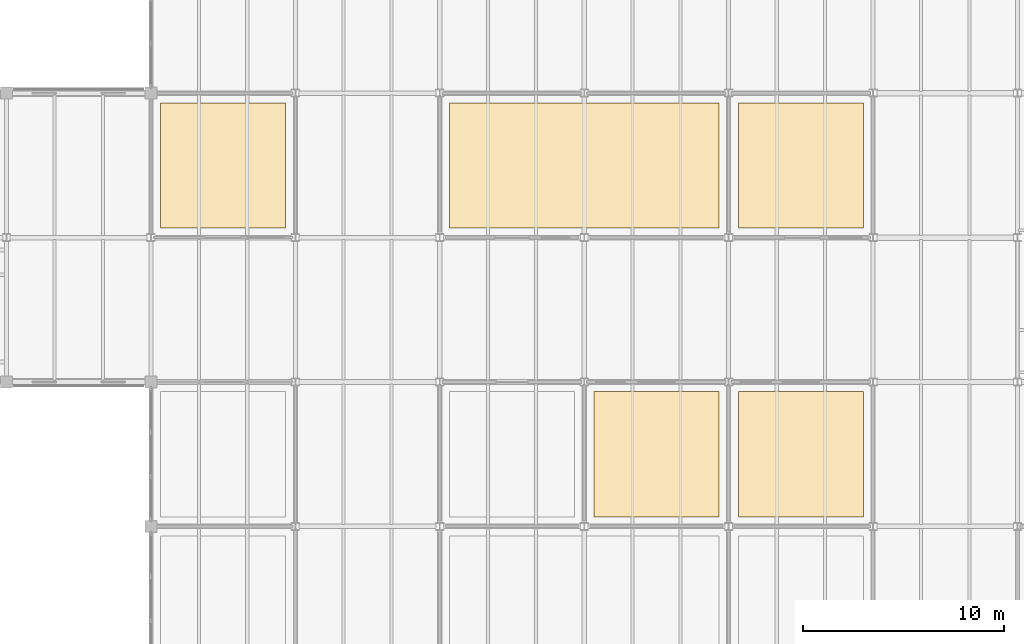
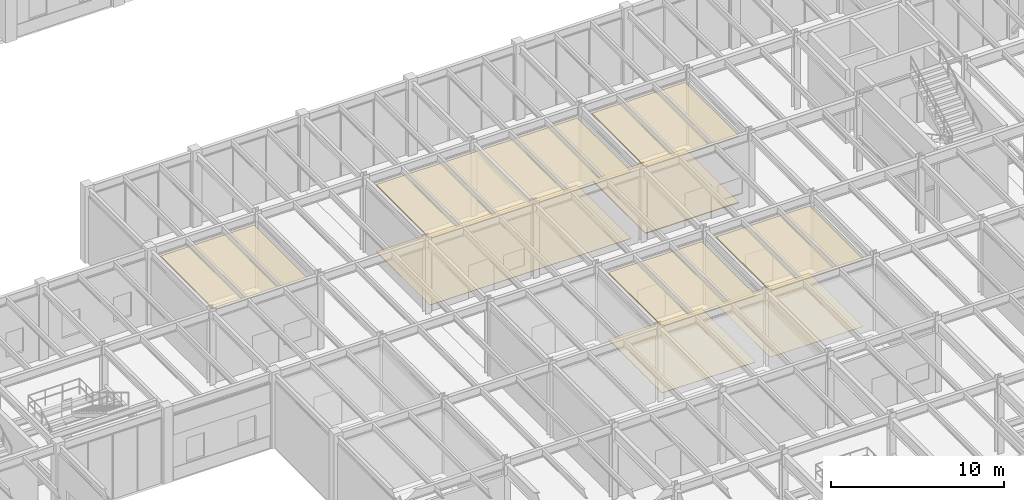
# One storey, part 90 of 97: 9 coverings.
"""IFC4 building model written with IfcOpenShell, lengths in metres."""

import ifcopenshell
import ifcopenshell.guid

model = None  # the IFC model being written
_history = None  # IfcOwnerHistory: only IFC2X3 demands one
_inside = {}  # id of a spatial element -> (the spatial element, [elements in it])
_under = {}  # id of a project, library or spatial element -> (it, [spatial elements below it])
_declared = {}  # id of a project -> (the project, [libraries it declares])
_typed = {}  # id of a type object -> (the type object, [elements of that type])
_made_of = {}  # id of a material, layer set ... -> (it, [elements and type objects made of it])


def new_model(schema):
    """Start an empty IFC model of exactly this schema.

    Asked for "IFC4X3", IfcOpenShell would pick the latest addendum, in which some entities
    have other attributes; the version numbers below select the first issue.
    IFC2X3 requires an IfcOwnerHistory on every rooted entity: one is made here for all.
    """
    global model, _history
    if schema == "IFC4X3":
        model = ifcopenshell.file(schema_version=(4, 3, 0, 0))
    else:
        model = ifcopenshell.file(schema=schema)
    _inside.clear()
    _under.clear()
    _declared.clear()
    _typed.clear()
    _made_of.clear()
    _history = None
    if model.schema == "IFC2X3":
        org = make("IfcOrganization", Name="unknown")
        user = make(
            "IfcPersonAndOrganization",
            ThePerson=make("IfcPerson", FamilyName="unknown"),
            TheOrganization=org,
        )
        app = make(
            "IfcApplication",
            ApplicationDeveloper=org,
            Version="unknown",
            ApplicationFullName="unknown",
            ApplicationIdentifier="unknown",
        )
        _history = make(
            "IfcOwnerHistory",
            OwningUser=user,
            OwningApplication=app,
            ChangeAction="ADDED",
            CreationDate=0,
        )
    return model


def make(cls, **values):
    """One entity of the class cls with the attributes given. An attribute that is None is left unset."""
    return model.create_entity(
        cls, **{name: value for name, value in values.items() if value is not None}
    )


def rooted(cls, **values):
    """An entity with a GlobalId (a new one), such as an element, a storey or a relation."""
    return make(cls, GlobalId=ifcopenshell.guid.new(), OwnerHistory=_history, **values)


def si_unit(unit_type, name, prefix=None):
    """IfcSIUnit, for example si_unit("LENGTHUNIT", "METRE", prefix="MILLI")."""
    return make("IfcSIUnit", UnitType=unit_type, Prefix=prefix, Name=name)


def assignment(units):
    """IfcUnitAssignment: the units of a project."""
    return None if units is None else make("IfcUnitAssignment", Units=units)


def point(xyz):
    """IfcCartesianPoint."""
    return None if xyz is None else make("IfcCartesianPoint", Coordinates=xyz)


def direction(xyz):
    """IfcDirection."""
    return None if xyz is None else make("IfcDirection", DirectionRatios=xyz)


def frame(location, z_axis=None, x_axis=None):
    """IfcAxis2Placement3D, a coordinate frame: its origin and axes. An axis left out is left unset."""
    return make(
        "IfcAxis2Placement3D",
        Location=point(location),
        Axis=direction(z_axis),
        RefDirection=direction(x_axis),
    )


def origin():
    """The frame at (0, 0, 0) with its axes left unset."""
    return frame((0.0, 0.0, 0.0))


def place(relative_to, where):
    """IfcLocalPlacement: puts the frame where relative to a parent placement (None: the world)."""
    return make(
        "IfcLocalPlacement", PlacementRelTo=relative_to, RelativePlacement=where
    )


def context(
    kind, dimensions, precision=None, world=None, true_north=None, identifier=None
):
    """IfcGeometricRepresentationContext, for example the 3D "Model" context."""
    return make(
        "IfcGeometricRepresentationContext",
        ContextIdentifier=identifier,
        ContextType=kind,
        CoordinateSpaceDimension=dimensions,
        Precision=precision,
        WorldCoordinateSystem=world,
        TrueNorth=true_north,
    )


def subcontext(parent, identifier, kind, view, scale=None):
    """IfcGeometricRepresentationSubContext, for example "Body" below "Model"."""
    return make(
        "IfcGeometricRepresentationSubContext",
        ContextIdentifier=identifier,
        ContextType=kind,
        ParentContext=parent,
        TargetScale=scale,
        TargetView=view,
    )


def project(units=None, contexts=None):
    """IfcProject with its units and contexts."""
    return rooted(
        "IfcProject",
        Name="project",
        RepresentationContexts=contexts,
        UnitsInContext=assignment(units),
    )


def spatial(cls, under=None, at=None, **own):
    """A site, building, storey or space (cls), placed at a placement, below another one or the project."""
    s = rooted(cls, ObjectPlacement=at, **own)
    if under is not None:
        _under.setdefault(under.id(), (under, []))[1].append(s)
    return s


def polyline(points):
    """IfcPolyline through the points."""
    return make("IfcPolyline", Points=[point(p) for p in points])


def outline(outer, holes=None, kind="AREA"):
    """IfcArbitraryClosedProfileDef: a profile drawn as a closed curve; with holes, ...WithVoids."""
    if holes is None:
        return make("IfcArbitraryClosedProfileDef", ProfileType=kind, OuterCurve=outer)
    return make(
        "IfcArbitraryProfileDefWithVoids",
        ProfileType=kind,
        OuterCurve=outer,
        InnerCurves=holes,
    )


def extrude(swept, where, along, depth):
    """IfcExtrudedAreaSolid: the profile swept, set in the frame where, extruded along a direction by depth."""
    return make(
        "IfcExtrudedAreaSolid",
        SweptArea=swept,
        Position=where,
        ExtrudedDirection=direction(along),
        Depth=depth,
    )


def shape(context_of_items, identifier, shape_type, items):
    """IfcShapeRepresentation: the items that make up one representation, for example the "Body"."""
    return make(
        "IfcShapeRepresentation",
        ContextOfItems=context_of_items,
        RepresentationIdentifier=identifier,
        RepresentationType=shape_type,
        Items=items,
    )


def material(Name=None, Category=None):
    """IfcMaterial."""
    return make("IfcMaterial", Name=Name, Category=Category)


def layer(
    of_material, thickness, ventilated=None, Name=None, Category=None, Priority=None
):
    """IfcMaterialLayer: one layer of a wall or slab, of a material (None: an air gap)."""
    return make(
        "IfcMaterialLayer",
        Material=of_material,
        LayerThickness=thickness,
        IsVentilated=ventilated,
        Name=Name,
        Category=Category,
        Priority=Priority,
    )


def layer_set(layers, Name=None):
    """IfcMaterialLayerSet."""
    return make("IfcMaterialLayerSet", MaterialLayers=layers, LayerSetName=Name)


def made_of(thing, what):
    """Note that an element or type object is made of a material, layer set ...; save() writes the relation."""
    if what is not None:
        _made_of.setdefault(what.id(), (what, []))[1].append(thing)
    return thing


def type_object(cls, material=None, **own):
    """A type object (cls), such as IfcWallType, which elements share."""
    return made_of(rooted(cls, **own), material)


def element(
    cls,
    number,
    at=None,
    inside=None,
    cuts=None,
    type_object=None,
    material=None,
    context=None,
    identifier="Body",
    shape_type=None,
    held_by="IfcProductDefinitionShape",
    body=None,
    shapes=None,
    **own,
):
    """One element of the class cls, such as IfcWall. Its Tag is "e" and its number.

    at: its placement. inside: the storey or other place that contains it. cuts: it is an
    opening in that element (IfcRelVoidsElement). A single representation is given by context,
    identifier, shape_type and body (its items); several are given by shapes. held_by: the class
    of the entity that holds the representations. save() writes the other relations.
    """
    e = rooted(cls, Tag="e%d" % number, ObjectPlacement=at, **own)
    if body is not None:
        shapes = [shape(context, identifier, shape_type, body)]
    if shapes is not None:
        e.Representation = make(held_by, Representations=shapes)
    if inside is not None:
        _inside.setdefault(inside.id(), (inside, []))[1].append(e)
    if cuts is not None:
        rooted(
            "IfcRelVoidsElement", RelatingBuildingElement=cuts, RelatedOpeningElement=e
        )
    if type_object is not None:
        _typed.setdefault(type_object.id(), (type_object, []))[1].append(e)
    return made_of(e, material)


def aggregate(whole, parts):
    """IfcRelAggregates: a whole, such as a stair, and the parts it consists of."""
    return rooted("IfcRelAggregates", RelatingObject=whole, RelatedObjects=parts)


def save(model, path):
    """Write the relations noted so far, then the file.

    IfcRelAggregates (storeys below a building ...), IfcRelContainedInSpatialStructure (elements
    in a storey), IfcRelDefinesByType, IfcRelAssociatesMaterial and IfcRelDeclares: one each for
    every whole, place, type object, material and project.
    """
    for whole, parts in _under.values():
        aggregate(whole, parts)
    for where, things in _inside.values():
        rooted(
            "IfcRelContainedInSpatialStructure",
            RelatedElements=things,
            RelatingStructure=where,
        )
    for kind, things in _typed.values():
        rooted("IfcRelDefinesByType", RelatedObjects=things, RelatingType=kind)
    for what, things in _made_of.values():
        rooted("IfcRelAssociatesMaterial", RelatedObjects=things, RelatingMaterial=what)
    for by, libraries in _declared.values():
        rooted("IfcRelDeclares", RelatingContext=by, RelatedDefinitions=libraries)
    model.write(path)


model = new_model("IFC4")

# Units and contexts
model_context = context("Model", 3, precision=1e-05, world=origin(), true_north=direction((0.0, 1.0)))
body_context = subcontext(model_context, "Body", "Model", "MODEL_VIEW")
ifc_project = project(units=[si_unit("LENGTHUNIT", "METRE"), si_unit("AREAUNIT", "SQUARE_METRE"), si_unit("VOLUMEUNIT", "CUBIC_METRE"), si_unit("PLANEANGLEUNIT", "RADIAN"), si_unit("MASSUNIT", "GRAM", prefix="KILO")], contexts=[model_context])

# Site, building, storey
site_placement = place(None, origin())
site = spatial("IfcSite", under=ifc_project, at=site_placement, CompositionType="ELEMENT")
building_placement = place(site_placement, origin())
building = spatial("IfcBuilding", under=site, at=building_placement, Name="Sillqori Civic Hall", CompositionType="ELEMENT")
storey_placement = place(building_placement, origin())
storey = spatial("IfcBuildingStorey", under=building, at=storey_placement, Name="L01", CompositionType="ELEMENT", Elevation=0.0)

# Coverings
ifc_material_1 = material(Name="Acoustic Gypsum Board Assembly 28", Category="gypsum")
ifc_layer_1 = layer(ifc_material_1, 0.028076171875)
ifc_layer_set_1 = layer_set([ifc_layer_1], Name="Acoustic Gypsum Board Assembly 28")
covering_type_1 = type_object("IfcCoveringType", Name="COV-CEIL-G28", PredefinedType="CEILING", material=ifc_layer_set_1)
covering_1_placement = place(storey_placement, frame((0.0, 0.0, 4.721923828125)))
element("IfcCovering", 1, at=covering_1_placement, inside=storey, type_object=covering_type_1, Name="Public Cafe and Andean Civic Salon acoustic ceiling", PredefinedType="CEILING", context=body_context, shape_type="SweptSolid", body=[
    extrude(outline(polyline([(65.280029296875, 43.679931640625), (71.52001953125, 43.679931640625), (71.52001953125, 49.919921875), (65.280029296875, 49.919921875), (65.280029296875, 43.679931640625)])), origin(), (0.0, 0.0, 1.0), 0.028076171875),
])
ifc_material_2 = material(Name="Perforated Metal Coffer Panel 64", Category="aluminium")
ifc_layer_2 = layer(ifc_material_2, 0.06396484375)
ifc_layer_set_2 = layer_set([ifc_layer_2], Name="Perforated Metal Coffer Panel 64")
covering_type_2 = type_object("IfcCoveringType", Name="COV-CEIL-M64", PredefinedType="CEILING", material=ifc_layer_set_2)
covering_2_placement = place(storey_placement, frame((0.0, 0.0, 4.68603515625)))
element("IfcCovering", 2, at=covering_2_placement, inside=storey, type_object=covering_type_2, Name="Citizens Service Centre One-Stop Counter Hall L01-08 acoustic ceiling", PredefinedType="CEILING", context=body_context, shape_type="SweptSolid", body=[
    extrude(outline(polyline([(86.8798828125, 29.280029296875), (93.1201171875, 29.280029296875), (93.1201171875, 35.52001953125), (86.8798828125, 35.52001953125), (86.8798828125, 29.280029296875)])), origin(), (0.0, 0.0, 1.0), 0.06396484375),
])
ifc_material_3 = material(Name="Acoustic Wool Metal Plank 76", Category="aluminium")
ifc_layer_3 = layer(ifc_material_3, 0.075927734375)
ifc_layer_set_3 = layer_set([ifc_layer_3], Name="Acoustic Wool Metal Plank 76")
covering_type_3 = type_object("IfcCoveringType", Name="COV-CEIL-M76", PredefinedType="CEILING", material=ifc_layer_set_3)
covering_3_placement = place(storey_placement, frame((0.0, 0.0, 4.674072265625)))
element("IfcCovering", 3, at=covering_3_placement, inside=storey, type_object=covering_type_3, Name="Civil Registry Births and Marriages Counter L01-10 acoustic ceiling", PredefinedType="CEILING", context=body_context, shape_type="SweptSolid", body=[
    extrude(outline(polyline([(94.080078125, 29.280029296875), (100.320068359375, 29.280029296875), (100.320068359375, 35.52001953125), (94.080078125, 35.52001953125), (94.080078125, 29.280029296875)])), origin(), (0.0, 0.0, 1.0), 0.075927734375),
])
ifc_material_4 = material(Name="Chamber Acoustic Coffer Liner 84", Category="timber")
ifc_layer_4 = layer(ifc_material_4, 0.083984375)
ifc_layer_set_4 = layer_set([ifc_layer_4], Name="Chamber Acoustic Coffer Liner 84")
covering_type_4 = type_object("IfcCoveringType", Name="COV-CEIL-M84", PredefinedType="CEILING", material=ifc_layer_set_4)
covering_4_placement = place(storey_placement, frame((0.0, 0.0, 4.666015625)))
element("IfcCovering", 4, at=covering_4_placement, inside=storey, type_object=covering_type_4, Name="Public Cafe and Andean Civic Salon L01-11 acoustic ceiling", PredefinedType="CEILING", context=body_context, shape_type="SweptSolid", body=[
    extrude(outline(polyline([(94.080078125, 43.679931640625), (100.320068359375, 43.679931640625), (100.320068359375, 49.919921875), (94.080078125, 49.919921875), (94.080078125, 43.679931640625)])), origin(), (0.0, 0.0, 1.0), 0.083984375),
])
ifc_material_5 = material(Name="Andean Cedar Deep Baffle 58", Category="timber")
ifc_layer_5 = layer(ifc_material_5, 0.05810546875)
ifc_layer_set_5 = layer_set([ifc_layer_5], Name="Andean Cedar Deep Baffle 58")
covering_type_5 = type_object("IfcCoveringType", Name="COV-CEIL-T58", PredefinedType="CEILING", material=ifc_layer_set_5)
covering_5_placement = place(storey_placement, frame((0.0, 0.0, 4.69189453125)))
element("IfcCovering", 5, at=covering_5_placement, inside=storey, type_object=covering_type_5, Name="Citizen Waiting and Queue Management Lounge acoustic ceiling", PredefinedType="CEILING", context=body_context, shape_type="SweptSolid", body=[
    extrude(outline(polyline([(79.679931640625, 43.679931640625), (93.1201171875, 43.679931640625), (93.1201171875, 49.919921875), (79.679931640625, 49.919921875), (79.679931640625, 43.679931640625)])), origin(), (0.0, 0.0, 1.0), 0.05810546875),
])
ifc_material_6 = material(Name="Seamless Polyurethane Acoustic Screed 12", Category="resin")
ifc_layer_6 = layer(ifc_material_6, 0.011962890625)
ifc_layer_set_6 = layer_set([ifc_layer_6], Name="Seamless Polyurethane Acoustic Screed 12")
covering_type_6 = type_object("IfcCoveringType", Name="COV-FLR-R12", PredefinedType="FLOORING", material=ifc_layer_set_6)
covering_6_placement = place(storey_placement, origin())
element("IfcCovering", 6, at=covering_6_placement, inside=storey, type_object=covering_type_6, Name="Civil Registry Births and Marriages Counter L01-10 floor finish", PredefinedType="FLOORING", context=body_context, shape_type="SweptSolid", body=[
    extrude(outline(polyline([(94.080078125, 29.280029296875), (100.320068359375, 29.280029296875), (100.320068359375, 35.52001953125), (94.080078125, 35.52001953125), (94.080078125, 29.280029296875)])), origin(), (0.0, 0.0, 1.0), 0.011962890625),
])
ifc_material_7 = material(Name="Raised Access Technical Floor Panel 62", Category="stone")
ifc_layer_7 = layer(ifc_material_7, 0.06201171875)
ifc_layer_set_7 = layer_set([ifc_layer_7], Name="Raised Access Technical Floor Panel 62")
covering_type_7 = type_object("IfcCoveringType", Name="COV-FLR-S62", PredefinedType="FLOORING", material=ifc_layer_set_7)
covering_7_placement = place(storey_placement, origin())
element("IfcCovering", 7, at=covering_7_placement, inside=storey, type_object=covering_type_7, Name="Public Cafe and Andean Civic Salon L01-11 floor finish", PredefinedType="FLOORING", context=body_context, shape_type="SweptSolid", body=[
    extrude(outline(polyline([(94.080078125, 43.679931640625), (100.320068359375, 43.679931640625), (100.320068359375, 49.919921875), (94.080078125, 49.919921875), (94.080078125, 43.679931640625)])), origin(), (0.0, 0.0, 1.0), 0.06201171875),
])
ifc_material_8 = material(Name="Tajibo Parquet Strip Flooring 22", Category="timber")
ifc_layer_8 = layer(ifc_material_8, 0.02197265625)
ifc_layer_set_8 = layer_set([ifc_layer_8], Name="Tajibo Parquet Strip Flooring 22")
covering_type_8 = type_object("IfcCoveringType", Name="COV-FLR-T22", PredefinedType="FLOORING", material=ifc_layer_set_8)
covering_8_placement = place(storey_placement, origin())
element("IfcCovering", 8, at=covering_8_placement, inside=storey, type_object=covering_type_8, Name="Citizen Waiting and Queue Management Lounge floor finish", PredefinedType="FLOORING", context=body_context, shape_type="SweptSolid", body=[
    extrude(outline(polyline([(79.679931640625, 43.679931640625), (93.1201171875, 43.679931640625), (93.1201171875, 49.919921875), (79.679931640625, 49.919921875), (79.679931640625, 43.679931640625)])), origin(), (0.0, 0.0, 1.0), 0.02197265625),
])
ifc_material_9 = material(Name="Acoustic Sprung Timber Flooring 30", Category="wood")
ifc_layer_9 = layer(ifc_material_9, 0.030029296875)
ifc_layer_set_9 = layer_set([ifc_layer_9], Name="Acoustic Sprung Timber Flooring 30")
covering_type_9 = type_object("IfcCoveringType", Name="COV-FLR-T30", PredefinedType="FLOORING", material=ifc_layer_set_9)
covering_9_placement = place(storey_placement, origin())
element("IfcCovering", 9, at=covering_9_placement, inside=storey, type_object=covering_type_9, Name="Citizens Service Centre One-Stop Counter Hall L01-08 floor finish", PredefinedType="FLOORING", context=body_context, shape_type="SweptSolid", body=[
    extrude(outline(polyline([(86.8798828125, 29.280029296875), (93.1201171875, 29.280029296875), (93.1201171875, 35.52001953125), (86.8798828125, 35.52001953125), (86.8798828125, 29.280029296875)])), origin(), (0.0, 0.0, 1.0), 0.030029296875),
])

save(model, "model.ifc")
